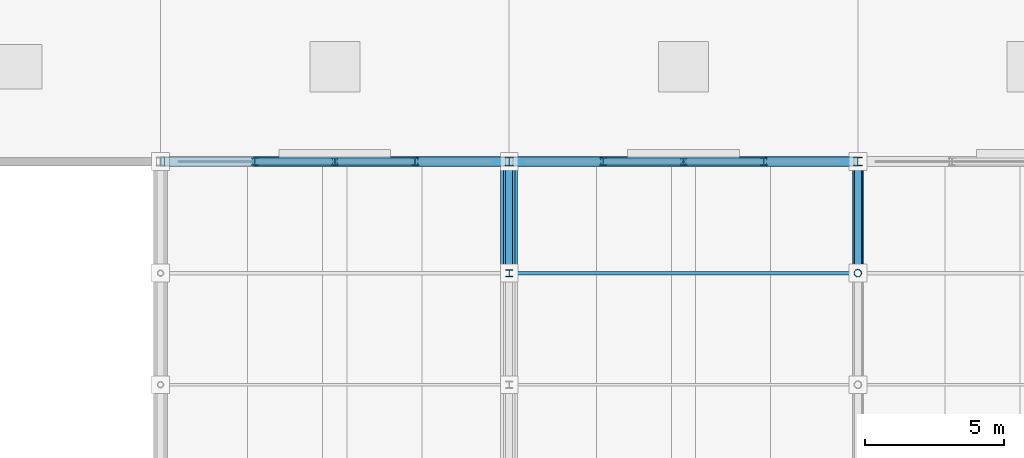
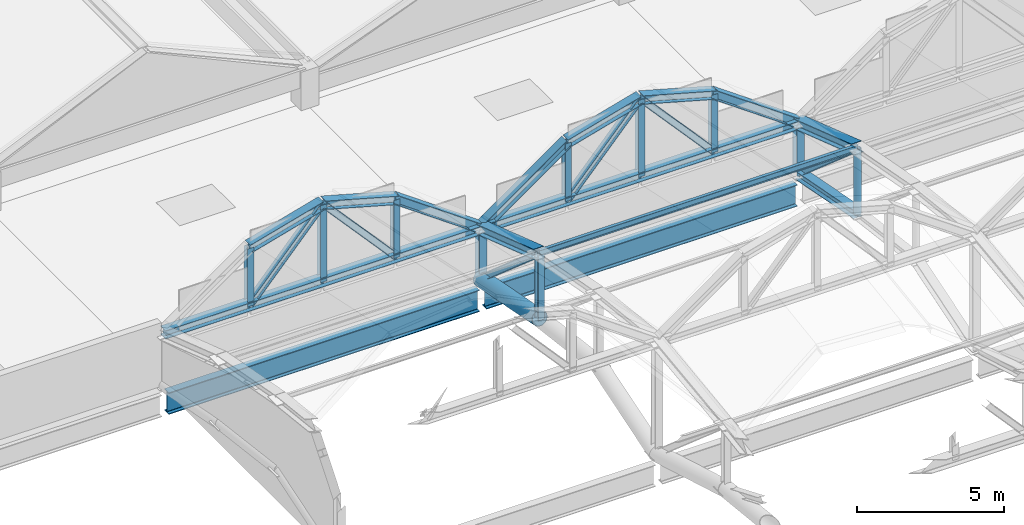
# One storey, part 80 of 117: 30 members, 2 beams.
"""IFC4 building model written with IfcOpenShell, lengths in metres."""

import ifcopenshell
import ifcopenshell.guid

model = None  # the IFC model being written
_history = None  # IfcOwnerHistory: only IFC2X3 demands one
_inside = {}  # id of a spatial element -> (the spatial element, [elements in it])
_under = {}  # id of a project, library or spatial element -> (it, [spatial elements below it])
_declared = {}  # id of a project -> (the project, [libraries it declares])
_typed = {}  # id of a type object -> (the type object, [elements of that type])
_made_of = {}  # id of a material, layer set ... -> (it, [elements and type objects made of it])


def new_model(schema):
    """Start an empty IFC model of exactly this schema.

    Asked for "IFC4X3", IfcOpenShell would pick the latest addendum, in which some entities
    have other attributes; the version numbers below select the first issue.
    IFC2X3 requires an IfcOwnerHistory on every rooted entity: one is made here for all.
    """
    global model, _history
    if schema == "IFC4X3":
        model = ifcopenshell.file(schema_version=(4, 3, 0, 0))
    else:
        model = ifcopenshell.file(schema=schema)
    _inside.clear()
    _under.clear()
    _declared.clear()
    _typed.clear()
    _made_of.clear()
    _history = None
    if model.schema == "IFC2X3":
        org = make("IfcOrganization", Name="unknown")
        user = make(
            "IfcPersonAndOrganization",
            ThePerson=make("IfcPerson", FamilyName="unknown"),
            TheOrganization=org,
        )
        app = make(
            "IfcApplication",
            ApplicationDeveloper=org,
            Version="unknown",
            ApplicationFullName="unknown",
            ApplicationIdentifier="unknown",
        )
        _history = make(
            "IfcOwnerHistory",
            OwningUser=user,
            OwningApplication=app,
            ChangeAction="ADDED",
            CreationDate=0,
        )
    return model


def make(cls, **values):
    """One entity of the class cls with the attributes given. An attribute that is None is left unset."""
    return model.create_entity(
        cls, **{name: value for name, value in values.items() if value is not None}
    )


def rooted(cls, **values):
    """An entity with a GlobalId (a new one), such as an element, a storey or a relation."""
    return make(cls, GlobalId=ifcopenshell.guid.new(), OwnerHistory=_history, **values)


def si_unit(unit_type, name, prefix=None):
    """IfcSIUnit, for example si_unit("LENGTHUNIT", "METRE", prefix="MILLI")."""
    return make("IfcSIUnit", UnitType=unit_type, Prefix=prefix, Name=name)


def assignment(units):
    """IfcUnitAssignment: the units of a project."""
    return None if units is None else make("IfcUnitAssignment", Units=units)


def point(xyz):
    """IfcCartesianPoint."""
    return None if xyz is None else make("IfcCartesianPoint", Coordinates=xyz)


def direction(xyz):
    """IfcDirection."""
    return None if xyz is None else make("IfcDirection", DirectionRatios=xyz)


def frame(location, z_axis=None, x_axis=None):
    """IfcAxis2Placement3D, a coordinate frame: its origin and axes. An axis left out is left unset."""
    return make(
        "IfcAxis2Placement3D",
        Location=point(location),
        Axis=direction(z_axis),
        RefDirection=direction(x_axis),
    )


def frame_2d(location, x_axis=None):
    """IfcAxis2Placement2D, a coordinate frame in the plane: its origin and x axis."""
    return make(
        "IfcAxis2Placement2D", Location=point(location), RefDirection=direction(x_axis)
    )


def origin():
    """The frame at (0, 0, 0) with its axes left unset."""
    return frame((0.0, 0.0, 0.0))


def origin_2d():
    """The frame at (0, 0) in the plane with its x axis left unset."""
    return frame_2d((0.0, 0.0))


def place(relative_to, where):
    """IfcLocalPlacement: puts the frame where relative to a parent placement (None: the world)."""
    return make(
        "IfcLocalPlacement", PlacementRelTo=relative_to, RelativePlacement=where
    )


def context(
    kind, dimensions, precision=None, world=None, true_north=None, identifier=None
):
    """IfcGeometricRepresentationContext, for example the 3D "Model" context."""
    return make(
        "IfcGeometricRepresentationContext",
        ContextIdentifier=identifier,
        ContextType=kind,
        CoordinateSpaceDimension=dimensions,
        Precision=precision,
        WorldCoordinateSystem=world,
        TrueNorth=true_north,
    )


def subcontext(parent, identifier, kind, view, scale=None):
    """IfcGeometricRepresentationSubContext, for example "Body" below "Model"."""
    return make(
        "IfcGeometricRepresentationSubContext",
        ContextIdentifier=identifier,
        ContextType=kind,
        ParentContext=parent,
        TargetScale=scale,
        TargetView=view,
    )


def project(units=None, contexts=None):
    """IfcProject with its units and contexts."""
    return rooted(
        "IfcProject",
        Name="project",
        RepresentationContexts=contexts,
        UnitsInContext=assignment(units),
    )


def spatial(cls, under=None, at=None, **own):
    """A site, building, storey or space (cls), placed at a placement, below another one or the project."""
    s = rooted(cls, ObjectPlacement=at, **own)
    if under is not None:
        _under.setdefault(under.id(), (under, []))[1].append(s)
    return s


def profile(cls, at=None, kind="AREA", **sizes):
    """A parametric profile (cls). Its sizes go by their IFC names, for example OverallWidth=200.0."""
    return make(cls, ProfileType=kind, Position=at, **sizes)


def hollow_circle(**sizes):
    """IfcCircleHollowProfileDef."""
    return profile("IfcCircleHollowProfileDef", **sizes)


def i_section(**sizes):
    """IfcIShapeProfileDef."""
    return profile("IfcIShapeProfileDef", **sizes)


def extrude(swept, where, along, depth):
    """IfcExtrudedAreaSolid: the profile swept, set in the frame where, extruded along a direction by depth."""
    return make(
        "IfcExtrudedAreaSolid",
        SweptArea=swept,
        Position=where,
        ExtrudedDirection=direction(along),
        Depth=depth,
    )


def shape(context_of_items, identifier, shape_type, items):
    """IfcShapeRepresentation: the items that make up one representation, for example the "Body"."""
    return make(
        "IfcShapeRepresentation",
        ContextOfItems=context_of_items,
        RepresentationIdentifier=identifier,
        RepresentationType=shape_type,
        Items=items,
    )


def material(Name=None, Category=None):
    """IfcMaterial."""
    return make("IfcMaterial", Name=Name, Category=Category)


def material_profile(
    of_material, cross_section, Name=None, Category=None, Priority=None
):
    """IfcMaterialProfile: a cross section and its material."""
    return make(
        "IfcMaterialProfile",
        Name=Name,
        Material=of_material,
        Profile=cross_section,
        Priority=Priority,
        Category=Category,
    )


def profile_set(profiles, Name=None, composite=None):
    """IfcMaterialProfileSet."""
    return make(
        "IfcMaterialProfileSet",
        Name=Name,
        MaterialProfiles=profiles,
        CompositeProfile=composite,
    )


def made_of(thing, what):
    """Note that an element or type object is made of a material, layer set ...; save() writes the relation."""
    if what is not None:
        _made_of.setdefault(what.id(), (what, []))[1].append(thing)
    return thing


def type_object(cls, material=None, **own):
    """A type object (cls), such as IfcWallType, which elements share."""
    return made_of(rooted(cls, **own), material)


def element(
    cls,
    number,
    at=None,
    inside=None,
    cuts=None,
    type_object=None,
    material=None,
    context=None,
    identifier="Body",
    shape_type=None,
    held_by="IfcProductDefinitionShape",
    body=None,
    shapes=None,
    **own,
):
    """One element of the class cls, such as IfcWall. Its Tag is "e" and its number.

    at: its placement. inside: the storey or other place that contains it. cuts: it is an
    opening in that element (IfcRelVoidsElement). A single representation is given by context,
    identifier, shape_type and body (its items); several are given by shapes. held_by: the class
    of the entity that holds the representations. save() writes the other relations.
    """
    e = rooted(cls, Tag="e%d" % number, ObjectPlacement=at, **own)
    if body is not None:
        shapes = [shape(context, identifier, shape_type, body)]
    if shapes is not None:
        e.Representation = make(held_by, Representations=shapes)
    if inside is not None:
        _inside.setdefault(inside.id(), (inside, []))[1].append(e)
    if cuts is not None:
        rooted(
            "IfcRelVoidsElement", RelatingBuildingElement=cuts, RelatedOpeningElement=e
        )
    if type_object is not None:
        _typed.setdefault(type_object.id(), (type_object, []))[1].append(e)
    return made_of(e, material)


def aggregate(whole, parts):
    """IfcRelAggregates: a whole, such as a stair, and the parts it consists of."""
    return rooted("IfcRelAggregates", RelatingObject=whole, RelatedObjects=parts)


def save(model, path):
    """Write the relations noted so far, then the file.

    IfcRelAggregates (storeys below a building ...), IfcRelContainedInSpatialStructure (elements
    in a storey), IfcRelDefinesByType, IfcRelAssociatesMaterial and IfcRelDeclares: one each for
    every whole, place, type object, material and project.
    """
    for whole, parts in _under.values():
        aggregate(whole, parts)
    for where, things in _inside.values():
        rooted(
            "IfcRelContainedInSpatialStructure",
            RelatedElements=things,
            RelatingStructure=where,
        )
    for kind, things in _typed.values():
        rooted("IfcRelDefinesByType", RelatedObjects=things, RelatingType=kind)
    for what, things in _made_of.values():
        rooted("IfcRelAssociatesMaterial", RelatedObjects=things, RelatingMaterial=what)
    for by, libraries in _declared.values():
        rooted("IfcRelDeclares", RelatingContext=by, RelatedDefinitions=libraries)
    model.write(path)


model = new_model("IFC4")

# Units and contexts
model_context = context("Model", 3, precision=1e-05, world=origin(), true_north=direction((0.0, 1.0)))
body_context = subcontext(model_context, "Body", "Model", "MODEL_VIEW")
ifc_project = project(units=[si_unit("LENGTHUNIT", "METRE"), si_unit("AREAUNIT", "SQUARE_METRE"), si_unit("VOLUMEUNIT", "CUBIC_METRE"), si_unit("PLANEANGLEUNIT", "RADIAN"), si_unit("MASSUNIT", "GRAM", prefix="KILO")], contexts=[model_context])

# Site, building, storey
site_placement = place(None, origin())
site = spatial("IfcSite", under=ifc_project, at=site_placement, CompositionType="ELEMENT")
building_placement = place(site_placement, origin())
building = spatial("IfcBuilding", under=site, at=building_placement, Name="Kazenohara Klinker Stadium", CompositionType="ELEMENT")
storey_placement = place(building_placement, frame((0.0, 0.0, 31.199951171875)))
storey = spatial("IfcBuildingStorey", under=building, at=storey_placement, Name="RF", CompositionType="ELEMENT", Elevation=31.199951171875)

# Members
ifc_material = material(Name="Steel S355", Category="steel")
ifc_material_profile_1 = material_profile(ifc_material, i_section(OverallWidth=0.25, OverallDepth=0.25, WebThickness=0.009033203125, FlangeThickness=0.013916015625, FilletRadius=0.012939453125, at=origin_2d()), Name="H-250x250x9x14")
ifc_profile_set_1 = profile_set([ifc_material_profile_1], Name="Steel S355")
member_type_1 = type_object("IfcMemberType", Name="MEM-BRC02", PredefinedType="BRACE", material=ifc_profile_set_1)
for number, where, z_axis, x_axis, name in (
    (1, (74.0, 144.0, -0.02001953125), (0.0, -0.755380190588, 0.655286782765), (1.0, 0.0, 0.0), "ROOF TRUSS RT-N02 web diagonal 1"),
    (2, (86.5, 144.0, -0.02001953125), (0.0, -0.755380190588, 0.655286782765), (1.0, 0.0, 0.0), "ROOF TRUSS RT-N03 web diagonal 1"),
):
    element("IfcMember", number, at=place(storey_placement, frame(where, z_axis=z_axis, x_axis=x_axis)), inside=storey, type_object=member_type_1, Name=name, PredefinedType="BRACE", context=body_context, shape_type="SweptSolid", body=[
        extrude(i_section(OverallWidth=0.25, OverallDepth=0.25, WebThickness=0.009033203125, FlangeThickness=0.013916015625, FilletRadius=0.012939453125, at=origin_2d()), origin(), (0.0, 0.0, 1.0), 5.29541015625),
    ])
ifc_material_profile_2 = material_profile(ifc_material, i_section(OverallWidth=0.39990234375, OverallDepth=0.39990234375, WebThickness=0.012939453125, FlangeThickness=0.02099609375, FilletRadius=0.02197265625, at=origin_2d()), Name="H-400x400x13x21")
ifc_profile_set_2 = profile_set([ifc_material_profile_2], Name="Steel S355")
member_type_2 = type_object("IfcMemberType", Name="MEM-CHD01", PredefinedType="CHORD", material=ifc_profile_set_2)
for number, where, z_axis, x_axis, name in (
    (3, (74.0, 144.0, 2.10009765625), (0.0, -0.947502791724, 0.319747493618), (1.0, 0.0, 0.0), "ROOF TRUSS RT-N02 top arched chord 1"),
    (4, (86.5, 144.0, 2.10009765625), (0.0, -0.947502791724, 0.319747493618), (1.0, 0.0, 0.0), "ROOF TRUSS RT-N03 top arched chord 1"),
):
    element("IfcMember", number, at=place(storey_placement, frame(where, z_axis=z_axis, x_axis=x_axis)), inside=storey, type_object=member_type_2, Name=name, PredefinedType="CHORD", context=body_context, shape_type="SweptSolid", body=[
        extrude(i_section(OverallWidth=0.39990234375, OverallDepth=0.39990234375, WebThickness=0.012939453125, FlangeThickness=0.02099609375, FilletRadius=0.02197265625, at=origin_2d()), origin(), (0.0, 0.0, 1.0), 4.2216796875),
    ])
ifc_material_profile_3 = material_profile(ifc_material, i_section(OverallWidth=0.35009765625, OverallDepth=0.35009765625, WebThickness=0.011962890625, FlangeThickness=0.01904296875, FilletRadius=0.012939453125, at=origin_2d()), Name="H-350x350x12x19")
ifc_profile_set_3 = profile_set([ifc_material_profile_3], Name="Steel S355")
member_type_3 = type_object("IfcMemberType", Name="MEM-CHD02", PredefinedType="CHORD", material=ifc_profile_set_3)
member_1_placement = place(storey_placement, frame((86.5, 144.0, -0.02001953125), z_axis=(0.0, -0.981970519692, 0.189034119819), x_axis=(1.0, 0.0, 0.0)))
element("IfcMember", 5, at=member_1_placement, inside=storey, type_object=member_type_3, Name="ROOF TRUSS RT-N03 bottom arched chord 1", PredefinedType="CHORD", context=body_context, shape_type="SweptSolid", body=[
    extrude(i_section(OverallWidth=0.35009765625, OverallDepth=0.35009765625, WebThickness=0.011962890625, FlangeThickness=0.01904296875, FilletRadius=0.012939453125, at=origin_2d()), origin(), (0.0, 0.0, 1.0), 4.073486328125),
])
member_2_placement = place(storey_placement, frame((61.5, 144.0, 2.10009765625), z_axis=(1.0, 0.0, 0.0), x_axis=(0.0, 1.0, 0.0)))
element("IfcMember", 6, at=member_2_placement, inside=storey, type_object=member_type_3, Name="Barrel arch tie chord TC02 N-01-N0", PredefinedType="CHORD", context=body_context, shape_type="SweptSolid", body=[
    extrude(i_section(OverallWidth=0.35009765625, OverallDepth=0.35009765625, WebThickness=0.011962890625, FlangeThickness=0.01904296875, FilletRadius=0.012939453125, at=origin_2d()), origin(), (0.0, 0.0, 1.0), 12.5),
])
for number, where, z_axis, x_axis, name in (
    (7, (64.875, 144.0, 4.5), (0.963393567269, 0.0, 0.268091093745), (0.0, 1.0, 0.0), "Barrel arch top rib TC02 N-01-N0-S2"),
    (8, (67.75, 144.0, 5.300048828125), (0.963393567269, 0.0, -0.268091093745), (0.0, 1.0, 0.0), "Barrel arch top rib TC02 N-01-N0-S3"),
):
    element("IfcMember", number, at=place(storey_placement, frame(where, z_axis=z_axis, x_axis=x_axis)), inside=storey, type_object=member_type_3, Name=name, PredefinedType="CHORD", context=body_context, shape_type="SweptSolid", body=[
        extrude(i_section(OverallWidth=0.35009765625, OverallDepth=0.35009765625, WebThickness=0.011962890625, FlangeThickness=0.01904296875, FilletRadius=0.012939453125, at=origin_2d()), origin(), (0.0, 0.0, 1.0), 2.984130859375),
    ])
member_3_placement = place(storey_placement, frame((70.625, 144.0, 4.5), z_axis=(0.814966461491, 0.0, -0.579508124744), x_axis=(0.0, 1.0, 0.0)))
element("IfcMember", 9, at=member_3_placement, inside=storey, type_object=member_type_3, Name="Barrel arch top rib TC02 N-01-N0-S4", PredefinedType="CHORD", context=body_context, shape_type="SweptSolid", body=[
    extrude(i_section(OverallWidth=0.35009765625, OverallDepth=0.35009765625, WebThickness=0.011962890625, FlangeThickness=0.01904296875, FilletRadius=0.012939453125, at=origin_2d()), origin(), (0.0, 0.0, 1.0), 4.141357421875),
])
member_4_placement = place(storey_placement, frame((74.0, 144.0, 2.10009765625), z_axis=(1.0, 0.0, 0.0), x_axis=(0.0, 1.0, 0.0)))
element("IfcMember", 10, at=member_4_placement, inside=storey, type_object=member_type_3, Name="Barrel arch tie chord TC02 N-02-N0", PredefinedType="CHORD", context=body_context, shape_type="SweptSolid", body=[
    extrude(i_section(OverallWidth=0.35009765625, OverallDepth=0.35009765625, WebThickness=0.011962890625, FlangeThickness=0.01904296875, FilletRadius=0.012939453125, at=origin_2d()), origin(), (0.0, 0.0, 1.0), 12.5),
])
member_5_placement = place(storey_placement, frame((74.0, 144.0, 2.10009765625), z_axis=(0.814966461491, 0.0, 0.579508124744), x_axis=(0.0, 1.0, 0.0)))
element("IfcMember", 11, at=member_5_placement, inside=storey, type_object=member_type_3, Name="Barrel arch top rib TC02 N-02-N0-S1", PredefinedType="CHORD", context=body_context, shape_type="SweptSolid", body=[
    extrude(i_section(OverallWidth=0.35009765625, OverallDepth=0.35009765625, WebThickness=0.011962890625, FlangeThickness=0.01904296875, FilletRadius=0.012939453125, at=origin_2d()), origin(), (0.0, 0.0, 1.0), 4.141357421875),
])
for number, where, z_axis, x_axis, name in (
    (12, (77.375, 144.0, 4.5), (0.963393567269, 0.0, 0.268091093745), (0.0, 1.0, 0.0), "Barrel arch top rib TC02 N-02-N0-S2"),
    (13, (80.25, 144.0, 5.300048828125), (0.963393567269, 0.0, -0.268091093745), (0.0, 1.0, 0.0), "Barrel arch top rib TC02 N-02-N0-S3"),
):
    element("IfcMember", number, at=place(storey_placement, frame(where, z_axis=z_axis, x_axis=x_axis)), inside=storey, type_object=member_type_3, Name=name, PredefinedType="CHORD", context=body_context, shape_type="SweptSolid", body=[
        extrude(i_section(OverallWidth=0.35009765625, OverallDepth=0.35009765625, WebThickness=0.011962890625, FlangeThickness=0.01904296875, FilletRadius=0.012939453125, at=origin_2d()), origin(), (0.0, 0.0, 1.0), 2.984130859375),
    ])
member_6_placement = place(storey_placement, frame((83.125, 144.0, 4.5), z_axis=(0.814966461491, 0.0, -0.579508124744), x_axis=(0.0, 1.0, 0.0)))
element("IfcMember", 14, at=member_6_placement, inside=storey, type_object=member_type_3, Name="Barrel arch top rib TC02 N-02-N0-S4", PredefinedType="CHORD", context=body_context, shape_type="SweptSolid", body=[
    extrude(i_section(OverallWidth=0.35009765625, OverallDepth=0.35009765625, WebThickness=0.011962890625, FlangeThickness=0.01904296875, FilletRadius=0.012939453125, at=origin_2d()), origin(), (0.0, 0.0, 1.0), 4.141357421875),
])
ifc_material_profile_4 = material_profile(ifc_material, hollow_circle(Radius=0.3046875, WallThickness=0.01611328125, at=origin_2d()), Name="CHS-609.6x16")
ifc_profile_set_4 = profile_set([ifc_material_profile_4], Name="Steel S355")
member_type_4 = type_object("IfcMemberType", Name="MEM-CHD05", PredefinedType="CHORD", material=ifc_profile_set_4)
member_7_placement = place(storey_placement, frame((74.0, 144.0, -0.02001953125), z_axis=(0.0, -0.981970519692, 0.189034119819), x_axis=(1.0, 0.0, 0.0)))
element("IfcMember", 15, at=member_7_placement, inside=storey, type_object=member_type_4, Name="ROOF TRUSS RT-N02 bottom arched chord 1", PredefinedType="CHORD", context=body_context, shape_type="SweptSolid", body=[
    extrude(hollow_circle(Radius=0.3046875, WallThickness=0.01611328125, at=origin_2d()), origin(), (0.0, 0.0, 1.0), 4.073486328125),
])
ifc_material_profile_5 = material_profile(ifc_material, i_section(OverallWidth=0.125, OverallDepth=0.25, WebThickness=0.006103515625, FlangeThickness=0.009033203125, FilletRadius=0.008056640625, at=origin_2d()), Name="H-250x125x6x9")
ifc_profile_set_5 = profile_set([ifc_material_profile_5], Name="Steel S355")
member_type_5 = type_object("IfcMemberType", Name="MEM-PUR01", PredefinedType="PURLIN", material=ifc_profile_set_5)
member_8_placement = place(storey_placement, frame((74.0, 140.0, 3.469970703125), z_axis=(1.0, 0.0, 0.0), x_axis=(0.0, 1.0, 0.0)))
element("IfcMember", 16, at=member_8_placement, inside=storey, type_object=member_type_5, Name="Canopy valley tie purlin PR01 N-02-N1", PredefinedType="PURLIN", context=body_context, shape_type="SweptSolid", body=[
    extrude(i_section(OverallWidth=0.125, OverallDepth=0.25, WebThickness=0.006103515625, FlangeThickness=0.009033203125, FilletRadius=0.008056640625, at=origin_2d()), origin(), (0.0, 0.0, 1.0), 12.5),
])
ifc_material_profile_6 = material_profile(ifc_material, i_section(OverallWidth=0.300048828125, OverallDepth=0.300048828125, WebThickness=0.010009765625, FlangeThickness=0.014892578125, FilletRadius=0.012939453125, at=origin_2d()), Name="H-300x300x10x15")
ifc_profile_set_6 = profile_set([ifc_material_profile_6], Name="Steel S355")
member_type_6 = type_object("IfcMemberType", Name="MEM-STR01", PredefinedType="STRUT", material=ifc_profile_set_6)
for number, where, z_axis, x_axis, name in (
    (17, (74.0, 144.0, -0.02001953125), (0.0, 0.0, 1.0), (1.0, 0.0, 0.0), "ROOF TRUSS RT-N02 web post 1"),
    (18, (86.5, 144.0, -0.02001953125), (0.0, 0.0, 1.0), (1.0, 0.0, 0.0), "ROOF TRUSS RT-N03 web post 1"),
):
    element("IfcMember", number, at=place(storey_placement, frame(where, z_axis=z_axis, x_axis=x_axis)), inside=storey, type_object=member_type_6, Name=name, PredefinedType="STRUT", context=body_context, shape_type="SweptSolid", body=[
        extrude(i_section(OverallWidth=0.300048828125, OverallDepth=0.300048828125, WebThickness=0.010009765625, FlangeThickness=0.014892578125, FilletRadius=0.012939453125, at=origin_2d()), origin(), (0.0, 0.0, 1.0), 2.1201171875),
    ])
ifc_material_profile_7 = material_profile(ifc_material, i_section(OverallWidth=0.25, OverallDepth=0.25, WebThickness=0.009033203125, FlangeThickness=0.013916015625, FilletRadius=0.012939453125, at=origin_2d()), Name="H-250x250x9x14")
ifc_profile_set_7 = profile_set([ifc_material_profile_7], Name="Steel S355")
member_type_7 = type_object("IfcMemberType", Name="MEM-STR02", PredefinedType="STRUT", material=ifc_profile_set_7)
member_9_placement = place(storey_placement, frame((74.0, 140.0, 0.75), z_axis=(0.0, 0.0, 1.0), x_axis=(1.0, 0.0, 0.0)))
element("IfcMember", 19, at=member_9_placement, inside=storey, type_object=member_type_7, Name="ROOF TRUSS RT-N02 web post 2", PredefinedType="STRUT", context=body_context, shape_type="SweptSolid", body=[
    extrude(i_section(OverallWidth=0.25, OverallDepth=0.25, WebThickness=0.009033203125, FlangeThickness=0.013916015625, FilletRadius=0.012939453125, at=origin_2d()), origin(), (0.0, 0.0, 1.0), 2.699951171875),
])
member_10_placement = place(storey_placement, frame((64.875, 144.0, 2.10009765625), z_axis=(0.0, 0.0, 1.0), x_axis=(1.0, 0.0, 0.0)))
element("IfcMember", 20, at=member_10_placement, inside=storey, type_object=member_type_7, Name="Barrel arch web post TS02 N-01-N0-P1", PredefinedType="STRUT", context=body_context, shape_type="SweptSolid", body=[
    extrude(i_section(OverallWidth=0.25, OverallDepth=0.25, WebThickness=0.009033203125, FlangeThickness=0.013916015625, FilletRadius=0.012939453125, at=origin_2d()), origin(), (0.0, 0.0, 1.0), 2.39990234375),
])
member_11_placement = place(storey_placement, frame((67.75, 144.0, 2.10009765625), z_axis=(0.0, 0.0, 1.0), x_axis=(1.0, 0.0, 0.0)))
element("IfcMember", 21, at=member_11_placement, inside=storey, type_object=member_type_7, Name="Barrel arch web post TS02 N-01-N0-P2", PredefinedType="STRUT", context=body_context, shape_type="SweptSolid", body=[
    extrude(i_section(OverallWidth=0.25, OverallDepth=0.25, WebThickness=0.009033203125, FlangeThickness=0.013916015625, FilletRadius=0.012939453125, at=origin_2d()), origin(), (0.0, 0.0, 1.0), 3.199951171875),
])
member_12_placement = place(storey_placement, frame((70.625, 144.0, 2.10009765625), z_axis=(0.0, 0.0, 1.0), x_axis=(1.0, 0.0, 0.0)))
element("IfcMember", 22, at=member_12_placement, inside=storey, type_object=member_type_7, Name="Barrel arch web post TS02 N-01-N0-P3", PredefinedType="STRUT", context=body_context, shape_type="SweptSolid", body=[
    extrude(i_section(OverallWidth=0.25, OverallDepth=0.25, WebThickness=0.009033203125, FlangeThickness=0.013916015625, FilletRadius=0.012939453125, at=origin_2d()), origin(), (0.0, 0.0, 1.0), 2.39990234375),
])
for number, where, z_axis, x_axis, name in (
    (23, (64.875, 144.0, 2.10009765625), (0.668327970369, 0.0, 0.74386673808), (0.0, 1.0, 0.0), "Barrel arch web diagonal TS02 N-01-N0-D1"),
    (24, (70.625, 144.0, 2.10009765625), (-0.668327970369, 0.0, 0.74386673808), (0.0, -1.0, 0.0), "Barrel arch web diagonal TS02 N-01-N0-D2"),
):
    element("IfcMember", number, at=place(storey_placement, frame(where, z_axis=z_axis, x_axis=x_axis)), inside=storey, type_object=member_type_7, Name=name, PredefinedType="STRUT", context=body_context, shape_type="SweptSolid", body=[
        extrude(i_section(OverallWidth=0.25, OverallDepth=0.25, WebThickness=0.009033203125, FlangeThickness=0.013916015625, FilletRadius=0.012939453125, at=origin_2d()), origin(), (0.0, 0.0, 1.0), 4.3017578125),
    ])
member_13_placement = place(storey_placement, frame((77.375, 144.0, 2.10009765625), z_axis=(0.0, 0.0, 1.0), x_axis=(1.0, 0.0, 0.0)))
element("IfcMember", 25, at=member_13_placement, inside=storey, type_object=member_type_7, Name="Barrel arch web post TS02 N-02-N0-P1", PredefinedType="STRUT", context=body_context, shape_type="SweptSolid", body=[
    extrude(i_section(OverallWidth=0.25, OverallDepth=0.25, WebThickness=0.009033203125, FlangeThickness=0.013916015625, FilletRadius=0.012939453125, at=origin_2d()), origin(), (0.0, 0.0, 1.0), 2.39990234375),
])
member_14_placement = place(storey_placement, frame((80.25, 144.0, 2.10009765625), z_axis=(0.0, 0.0, 1.0), x_axis=(1.0, 0.0, 0.0)))
element("IfcMember", 26, at=member_14_placement, inside=storey, type_object=member_type_7, Name="Barrel arch web post TS02 N-02-N0-P2", PredefinedType="STRUT", context=body_context, shape_type="SweptSolid", body=[
    extrude(i_section(OverallWidth=0.25, OverallDepth=0.25, WebThickness=0.009033203125, FlangeThickness=0.013916015625, FilletRadius=0.012939453125, at=origin_2d()), origin(), (0.0, 0.0, 1.0), 3.199951171875),
])
member_15_placement = place(storey_placement, frame((83.125, 144.0, 2.10009765625), z_axis=(0.0, 0.0, 1.0), x_axis=(1.0, 0.0, 0.0)))
element("IfcMember", 27, at=member_15_placement, inside=storey, type_object=member_type_7, Name="Barrel arch web post TS02 N-02-N0-P3", PredefinedType="STRUT", context=body_context, shape_type="SweptSolid", body=[
    extrude(i_section(OverallWidth=0.25, OverallDepth=0.25, WebThickness=0.009033203125, FlangeThickness=0.013916015625, FilletRadius=0.012939453125, at=origin_2d()), origin(), (0.0, 0.0, 1.0), 2.39990234375),
])
for number, where, z_axis, x_axis, name in (
    (28, (77.375, 144.0, 2.10009765625), (0.668327970369, 0.0, 0.74386673808), (0.0, 1.0, 0.0), "Barrel arch web diagonal TS02 N-02-N0-D1"),
    (29, (83.125, 144.0, 2.10009765625), (-0.668327970369, 0.0, 0.74386673808), (0.0, -1.0, 0.0), "Barrel arch web diagonal TS02 N-02-N0-D2"),
):
    element("IfcMember", number, at=place(storey_placement, frame(where, z_axis=z_axis, x_axis=x_axis)), inside=storey, type_object=member_type_7, Name=name, PredefinedType="STRUT", context=body_context, shape_type="SweptSolid", body=[
        extrude(i_section(OverallWidth=0.25, OverallDepth=0.25, WebThickness=0.009033203125, FlangeThickness=0.013916015625, FilletRadius=0.012939453125, at=origin_2d()), origin(), (0.0, 0.0, 1.0), 4.3017578125),
    ])
ifc_material_profile_8 = material_profile(ifc_material, hollow_circle(Radius=0.1337890625, WallThickness=0.009033203125, at=origin_2d()), Name="CHS-267.4x9")
ifc_profile_set_8 = profile_set([ifc_material_profile_8], Name="Steel S355")
member_type_8 = type_object("IfcMemberType", Name="MEM-STR03", PredefinedType="STRUT", material=ifc_profile_set_8)
member_16_placement = place(storey_placement, frame((86.5, 140.0, 0.75), z_axis=(0.0, 0.0, 1.0), x_axis=(1.0, 0.0, 0.0)))
element("IfcMember", 30, at=member_16_placement, inside=storey, type_object=member_type_8, Name="ROOF TRUSS RT-N03 web post 2", PredefinedType="STRUT", context=body_context, shape_type="SweptSolid", body=[
    extrude(hollow_circle(Radius=0.1337890625, WallThickness=0.009033203125, at=origin_2d()), origin(), (0.0, 0.0, 1.0), 2.699951171875),
])

# Beams
ifc_material_profile_9 = material_profile(ifc_material, i_section(OverallWidth=0.300048828125, OverallDepth=0.89990234375, WebThickness=0.01611328125, FlangeThickness=0.028076171875, FilletRadius=0.02197265625, at=origin_2d()), Name="H-900x300x16x28")
ifc_profile_set_9 = profile_set([ifc_material_profile_9], Name="Steel S355")
beam_type = type_object("IfcBeamType", Name="RING-RB01", PredefinedType="USERDEFINED", material=ifc_profile_set_9)
for number, where, z_axis, x_axis, name in (
    (31, (61.639892578125, 144.0, -0.820068359375), (1.0, 0.0, 0.0), (0.0, 1.0, 0.0), "Roof ring beam RB01 N-OUT 6-7"),
    (32, (74.139892578125, 144.0, -0.820068359375), (1.0, 0.0, 0.0), (0.0, 1.0, 0.0), "Roof ring beam RB01 N-OUT 7-8"),
):
    element("IfcBeam", number, at=place(storey_placement, frame(where, z_axis=z_axis, x_axis=x_axis)), inside=storey, type_object=beam_type, Name=name, ObjectType="RING BEAM", PredefinedType="USERDEFINED", context=body_context, shape_type="SweptSolid", body=[
        extrude(i_section(OverallWidth=0.300048828125, OverallDepth=0.89990234375, WebThickness=0.01611328125, FlangeThickness=0.028076171875, FilletRadius=0.02197265625, at=origin_2d()), origin(), (0.0, 0.0, 1.0), 12.22021484375),
    ])

save(model, "model.ifc")
